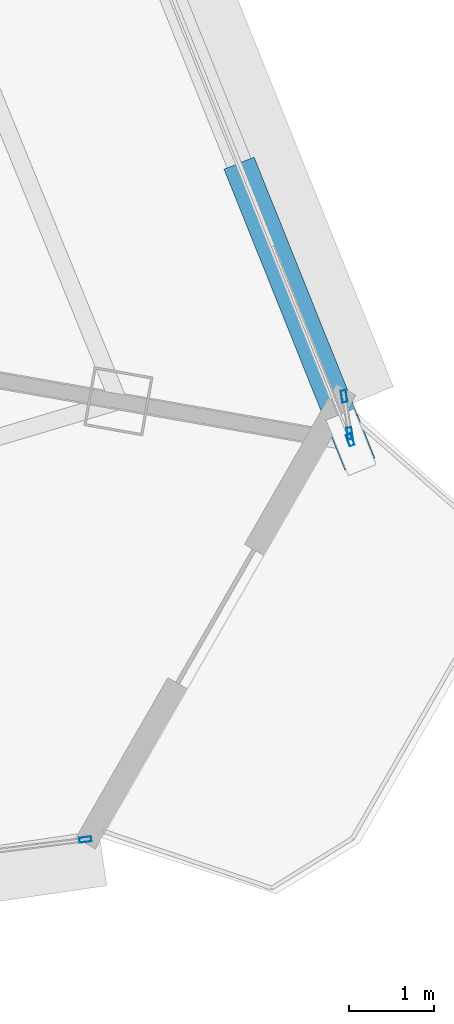
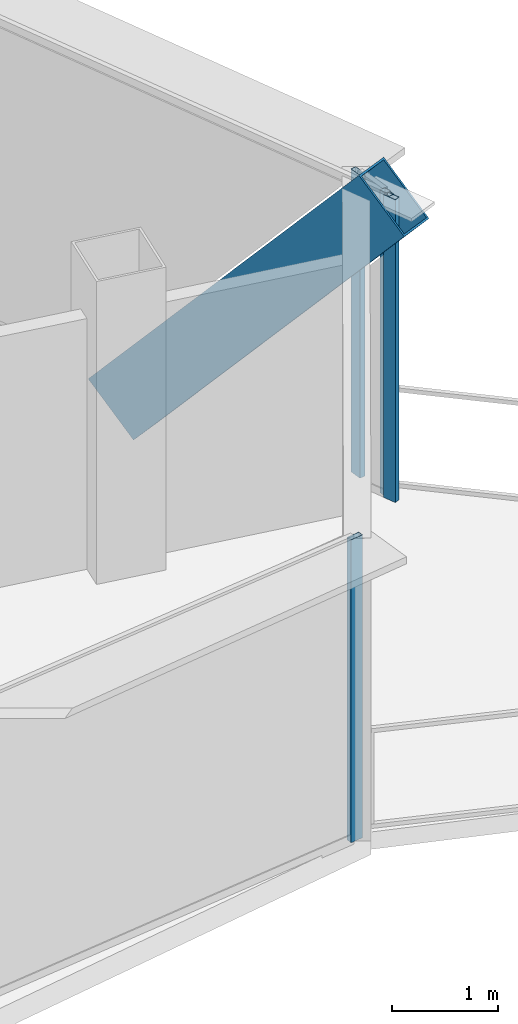
# One storey, part 13 of 30: 5 members, 3 elements without a shape of their own.
"""IFC4 building model written with IfcOpenShell, lengths in metres."""

from ifc_helpers import new_model, si_unit, direction, frame, origin, origin_2d, place, context, subcontext, project, spatial, hollow_rectangle, extrude, source, transform, mapped, material, layer, layer_set, material_profile, profile_set, type_object, element, aggregate, save


model = new_model("IFC4")

# Units and contexts
model_context = context("Model", 3, precision=1e-05, world=origin(), true_north=direction((0.0, 1.0)))
body_context = subcontext(model_context, "Body", "Model", "MODEL_VIEW")
ifc_project = project(units=[si_unit("LENGTHUNIT", "METRE"), si_unit("AREAUNIT", "SQUARE_METRE"), si_unit("VOLUMEUNIT", "CUBIC_METRE"), si_unit("PLANEANGLEUNIT", "RADIAN"), si_unit("MASSUNIT", "GRAM", prefix="KILO"), si_unit("THERMODYNAMICTEMPERATUREUNIT", "KELVIN"), si_unit("POWERUNIT", "WATT")], contexts=[model_context])

# Site, building, storey
site_placement = place(None, origin())
site = spatial("IfcSite", under=ifc_project, at=site_placement, CompositionType="ELEMENT")
building_placement = place(site_placement, origin())
building = spatial("IfcBuilding", under=site, at=building_placement, Name="Yunzhuo Pagoda Commons", CompositionType="ELEMENT")
storey_placement = place(building_placement, frame((0.0, 0.0, 348.010009765625)))
storey = spatial("IfcBuildingStorey", under=building, at=storey_placement, Name="L87", CompositionType="ELEMENT", Elevation=348.010009765625)

# Member
ifc_material_1 = material(Name="Structural steel Q355B", Category="steel")
ifc_material_profile_1 = material_profile(ifc_material_1, hollow_rectangle(XDim=0.3798828125, YDim=0.719970703125, WallThickness=0.02001953125, at=origin_2d()), Name="Structural steel Q355B")
ifc_profile_set_1 = profile_set([ifc_material_profile_1], Name="Structural steel Q355B")
member_type_1 = type_object("IfcMemberType", Name="M-DL3 Brace BOX 720x380x20", PredefinedType="BRACE", material=ifc_profile_set_1)
shared_shape_1 = source(origin(), body_context, "Body", "SweptSolid", [
    extrude(hollow_rectangle(XDim=0.3798828125, YDim=0.719970703125, WallThickness=0.02001953125, at=origin_2d()), origin(), (0.0, 0.0, 1.0), 4.96142578125),
])
member_1_placement = place(storey_placement, frame((73.983642578125, 31.919677734375, -0.260009765625), z_axis=(0.243925538831, -0.607624077766, 0.755839474773), x_axis=(0.928014678103, 0.372543631305, 0.0)))
element("IfcMember", 1, at=member_1_placement, inside=storey, type_object=member_type_1, Name="L87 facade diamond brace F2.1L", PredefinedType="BRACE", context=body_context, shape_type="MappedRepresentation", body=[
    mapped(shared_shape_1, transform((0.0, 0.0, 0.0), scale=1.0)),
])

# Curtain wall, member
ifc_material_2 = material(Name="Anodized aluminium 6063-T6", Category="aluminium")
ifc_layer = layer(ifc_material_2, 0.139892578125)
ifc_layer_set = layer_set([ifc_layer], Name="Anodized aluminium 6063-T6")
curtain_wall_type = type_object("IfcCurtainWallType", Name="CW-HI High-Zone Ribbon Curtain Wall", PredefinedType="NOTDEFINED", material=ifc_layer_set)
curtain_wall_1_placement = place(storey_placement, origin())
curtain_wall_1 = element("IfcCurtainWall", 2, at=curtain_wall_1_placement, inside=storey, type_object=curtain_wall_type, Name="L87 curtain wall CW-L87-F1B5", PredefinedType="NOTDEFINED")
ifc_material_profile_2 = material_profile(ifc_material_2, hollow_rectangle(XDim=0.06005859375, YDim=0.139892578125, WallThickness=0.00341796875, at=origin_2d()), Name="Anodized aluminium 6063-T6")
ifc_profile_set_2 = profile_set([ifc_material_profile_2], Name="Anodized aluminium 6063-T6")
member_type_2 = type_object("IfcMemberType", Name="CW-HI-M Mullion RHS 140x60x3.5", PredefinedType="MULLION", material=ifc_profile_set_2)
shared_shape_2 = source(origin(), body_context, "Body", "SweptSolid", [
    extrude(hollow_rectangle(XDim=0.06005859375, YDim=0.139892578125, WallThickness=0.00341796875, at=origin_2d()), origin(), (0.0, 0.0, 1.0), 3.489990234375),
])
member_2_placement = place(storey_placement, frame((72.08349609375, 24.255615234375, 0.0), z_axis=(0.0, 0.0, 1.0), x_axis=(-0.126570661327, 0.991957593696, 0.0)))
member_2 = element("IfcMember", 3, at=member_2_placement, type_object=member_type_2, Name="CW mullion 2", PredefinedType="MULLION", context=body_context, shape_type="MappedRepresentation", body=[
    mapped(shared_shape_2, transform((0.0, 0.0, 0.0), scale=1.0)),
])
aggregate(curtain_wall_1, [member_2])

curtain_wall_2_placement = place(storey_placement, origin())
curtain_wall_2 = element("IfcCurtainWall", 4, at=curtain_wall_2_placement, inside=storey, type_object=curtain_wall_type, Name="L87 curtain wall CW-L87-F2B2", PredefinedType="NOTDEFINED")
member_3_placement = place(storey_placement, frame((75.182373046875, 28.932861328125, 0.0), z_axis=(0.0, 0.0, 1.0), x_axis=(-0.92803921175, -0.372482511608, 0.0)))
member_3 = element("IfcMember", 5, at=member_3_placement, type_object=member_type_2, Name="CW mullion 1", PredefinedType="MULLION", context=body_context, shape_type="MappedRepresentation", body=[
    mapped(shared_shape_2, transform((0.0, 0.0, 0.0), scale=1.0)),
])
aggregate(curtain_wall_2, [member_3])

# Curtain wall, members
curtain_wall_3_placement = place(storey_placement, origin())
curtain_wall_3 = element("IfcCurtainWall", 6, at=curtain_wall_3_placement, inside=storey, type_object=curtain_wall_type, Name="L87 curtain wall CW-L87-F2B1", PredefinedType="NOTDEFINED")
member_4_placement = place(storey_placement, frame((75.111572265625, 29.44384765625, 0.0), z_axis=(0.0, 0.0, 1.0), x_axis=(0.988629179637, 0.150374017607, 0.0)))
member_4 = element("IfcMember", 7, at=member_4_placement, type_object=member_type_2, Name="CW mullion 1", PredefinedType="MULLION", context=body_context, shape_type="MappedRepresentation", body=[
    mapped(shared_shape_2, transform((0.0, 0.0, 0.0), scale=1.0)),
])
member_5_placement = place(storey_placement, frame((75.177734375, 29.0087890625, 0.0), z_axis=(0.0, 0.0, 1.0), x_axis=(0.988629179637, 0.150374017607, 0.0)))
member_5 = element("IfcMember", 8, at=member_5_placement, type_object=member_type_2, Name="CW mullion 2", PredefinedType="MULLION", context=body_context, shape_type="MappedRepresentation", body=[
    mapped(shared_shape_2, transform((0.0, 0.0, 0.0), scale=1.0)),
])
aggregate(curtain_wall_3, [member_4, member_5])

save(model, "model.ifc")
